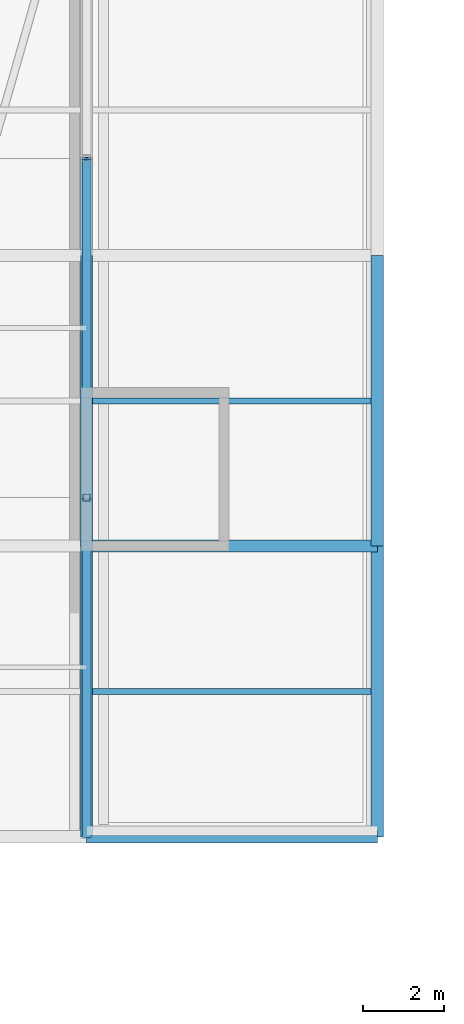
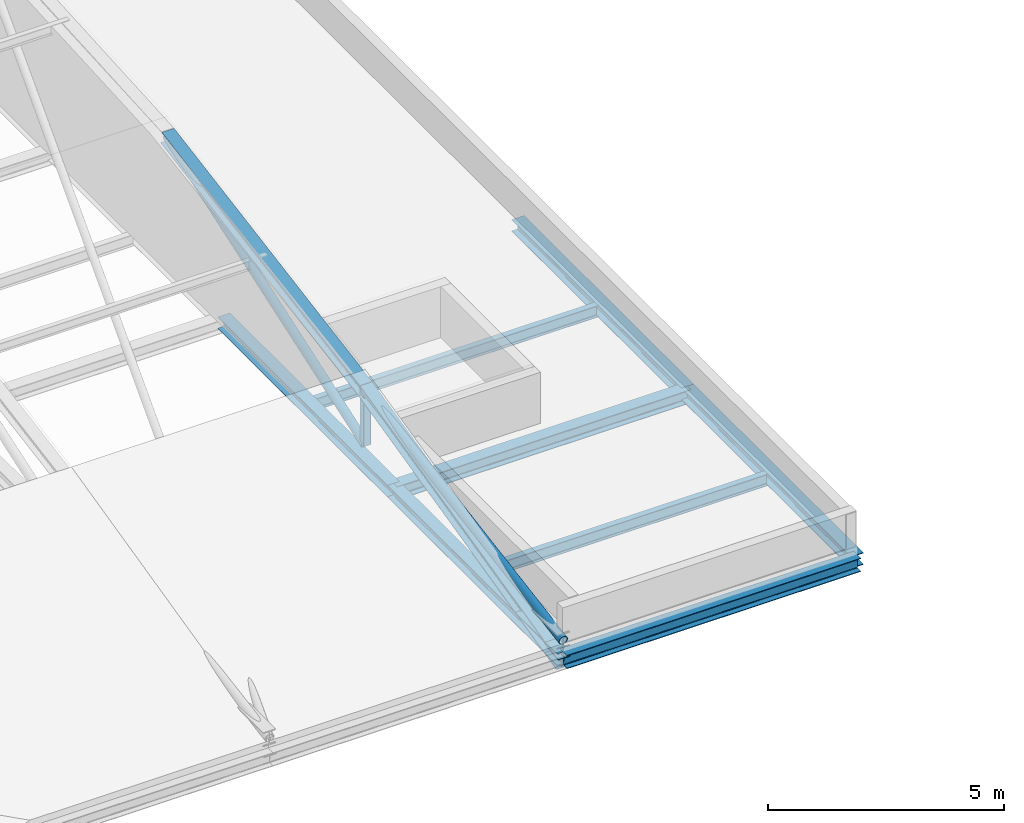
# One storey, part 13 of 76: 8 beams, 5 members.
"""IFC4 building model written with IfcOpenShell, lengths in metres."""

from ifc_helpers import new_model, si_unit, direction, frame, origin, origin_2d, place, context, subcontext, project, spatial, hollow_rectangle, hollow_circle, i_section, extrude, material, material_profile, profile_set, type_object, element, save


model = new_model("IFC4")

# Units and contexts
model_context = context("Model", 3, precision=1e-05, world=origin(), true_north=direction((0.0, 1.0)))
body_context = subcontext(model_context, "Body", "Model", "MODEL_VIEW")
ifc_project = project(units=[si_unit("LENGTHUNIT", "METRE"), si_unit("AREAUNIT", "SQUARE_METRE"), si_unit("VOLUMEUNIT", "CUBIC_METRE"), si_unit("PLANEANGLEUNIT", "RADIAN"), si_unit("MASSUNIT", "GRAM", prefix="KILO")], contexts=[model_context])

# Site, building, storey
site_placement = place(None, origin())
site = spatial("IfcSite", under=ifc_project, at=site_placement, CompositionType="ELEMENT")
building_placement = place(site_placement, origin())
building = spatial("IfcBuilding", under=site, at=building_placement, Name="Zlatovets Crest Museum", CompositionType="ELEMENT")
storey_placement = place(building_placement, frame((0.0, 0.0, 17.10009765625)))
storey = spatial("IfcBuildingStorey", under=building, at=storey_placement, Name="L04", CompositionType="ELEMENT", Elevation=17.10009765625)

# Beams
ifc_material = material(Name="Structural steel S355J2", Category="steel")
ifc_material_profile_1 = material_profile(ifc_material, i_section(OverallWidth=0.300048828125, OverallDepth=0.35009765625, WebThickness=0.010009765625, FlangeThickness=0.017578125, FilletRadius=0.027099609375, at=origin_2d()), Name="HEA 360")
ifc_profile_set_1 = profile_set([ifc_material_profile_1], Name="Structural steel S355J2")
beam_type_1 = type_object("IfcBeamType", Name="Beam_B-03", PredefinedType="BEAM", material=ifc_profile_set_1)
for number, where, z_axis, x_axis, name in (
    (1, (28.800048828125, 50.39990234375, -0.39501953125), (1.0, 0.0, 0.0), (0.0, 1.0, 0.0), "V4 L04 Primary Girder B-03"),
    (2, (28.800048828125, 57.60009765625, -0.39501953125), (1.0, 0.0, 0.0), (0.0, 1.0, 0.0), "V4 L04 Primary Girder B-03"),
):
    element("IfcBeam", number, at=place(storey_placement, frame(where, z_axis=z_axis, x_axis=x_axis)), inside=storey, type_object=beam_type_1, Name=name, PredefinedType="BEAM", context=body_context, shape_type="SweptSolid", body=[
        extrude(i_section(OverallWidth=0.300048828125, OverallDepth=0.35009765625, WebThickness=0.010009765625, FlangeThickness=0.017578125, FilletRadius=0.027099609375, at=origin_2d()), origin(), (0.0, 0.0, 1.0), 7.199951171875),
    ])
ifc_material_profile_2 = material_profile(ifc_material, i_section(OverallWidth=0.300048828125, OverallDepth=0.31005859375, WebThickness=0.009033203125, FlangeThickness=0.015380859375, FilletRadius=0.027099609375, at=origin_2d()), Name="HEA 320")
ifc_profile_set_2 = profile_set([ifc_material_profile_2], Name="Structural steel S355J2")
beam_type_2 = type_object("IfcBeamType", Name="Beam_B-04", PredefinedType="BEAM", material=ifc_profile_set_2)
beam_1_placement = place(storey_placement, frame((28.800048828125, 50.39990234375, -0.375), z_axis=(0.0, 1.0, 0.0), x_axis=(-1.0, 0.0, 0.0)))
element("IfcBeam", 3, at=beam_1_placement, inside=storey, type_object=beam_type_2, Name="V4 L04 Grid Beam B-04", PredefinedType="BEAM", context=body_context, shape_type="SweptSolid", body=[
    extrude(i_section(OverallWidth=0.300048828125, OverallDepth=0.31005859375, WebThickness=0.009033203125, FlangeThickness=0.015380859375, FilletRadius=0.027099609375, at=origin_2d()), origin(), (0.0, 0.0, 1.0), 7.2001953125),
])
beam_2_placement = place(storey_placement, frame((28.800048828125, 57.60009765625, -0.375), z_axis=(0.0, 1.0, 0.0), x_axis=(-1.0, 0.0, 0.0)))
element("IfcBeam", 4, at=beam_2_placement, inside=storey, type_object=beam_type_2, Name="V4 L04 Grid Beam B-04", PredefinedType="BEAM", context=body_context, shape_type="SweptSolid", body=[
    extrude(i_section(OverallWidth=0.300048828125, OverallDepth=0.31005859375, WebThickness=0.009033203125, FlangeThickness=0.015380859375, FilletRadius=0.027099609375, at=origin_2d()), origin(), (0.0, 0.0, 1.0), 7.199951171875),
])
beam_3_placement = place(storey_placement, frame((36.0, 50.39990234375, -0.375), z_axis=(0.0, 1.0, 0.0), x_axis=(-1.0, 0.0, 0.0)))
element("IfcBeam", 5, at=beam_3_placement, inside=storey, type_object=beam_type_2, Name="V4 L04 Grid Beam B-04", PredefinedType="BEAM", context=body_context, shape_type="SweptSolid", body=[
    extrude(i_section(OverallWidth=0.300048828125, OverallDepth=0.31005859375, WebThickness=0.009033203125, FlangeThickness=0.015380859375, FilletRadius=0.027099609375, at=origin_2d()), origin(), (0.0, 0.0, 1.0), 7.2001953125),
])
beam_4_placement = place(storey_placement, frame((36.0, 57.60009765625, -0.375), z_axis=(0.0, 1.0, 0.0), x_axis=(-1.0, 0.0, 0.0)))
element("IfcBeam", 6, at=beam_4_placement, inside=storey, type_object=beam_type_2, Name="V4 L04 Grid Beam B-04", PredefinedType="BEAM", context=body_context, shape_type="SweptSolid", body=[
    extrude(i_section(OverallWidth=0.300048828125, OverallDepth=0.31005859375, WebThickness=0.009033203125, FlangeThickness=0.015380859375, FilletRadius=0.027099609375, at=origin_2d()), origin(), (0.0, 0.0, 1.0), 7.199951171875),
])
ifc_material_profile_3 = material_profile(ifc_material, i_section(OverallWidth=0.14990234375, OverallDepth=0.300048828125, WebThickness=0.007080078125, FlangeThickness=0.0107421875, FilletRadius=0.014892578125, at=origin_2d()), Name="IPE 300")
ifc_profile_set_3 = profile_set([ifc_material_profile_3], Name="Structural steel S355J2")
beam_type_3 = type_object("IfcBeamType", Name="Beam_J-02", PredefinedType="JOIST", material=ifc_profile_set_3)
for number, where, z_axis, x_axis, name in (
    (7, (28.949951171875, 54.0, -0.3701171875), (1.0, 0.0, 0.0), (0.0, 1.0, 0.0), "V4 L04 Composite Joist J-02"),
    (8, (28.949951171875, 61.199951171875, -0.3701171875), (1.0, 0.0, 0.0), (0.0, 1.0, 0.0), "V4 L04 Composite Joist J-02"),
):
    element("IfcBeam", number, at=place(storey_placement, frame(where, z_axis=z_axis, x_axis=x_axis)), inside=storey, type_object=beam_type_3, Name=name, PredefinedType="JOIST", context=body_context, shape_type="SweptSolid", body=[
        extrude(i_section(OverallWidth=0.14990234375, OverallDepth=0.300048828125, WebThickness=0.007080078125, FlangeThickness=0.0107421875, FilletRadius=0.014892578125, at=origin_2d()), origin(), (0.0, 0.0, 1.0), 6.900146484375),
    ])

# Members
ifc_material_profile_4 = material_profile(ifc_material, i_section(OverallWidth=0.300048828125, OverallDepth=0.31005859375, WebThickness=0.009033203125, FlangeThickness=0.015380859375, FilletRadius=0.027099609375, at=origin_2d()), Name="HEA 320")
ifc_profile_set_4 = profile_set([ifc_material_profile_4], Name="Structural steel S355J2")
member_type_1 = type_object("IfcMemberType", Name="Member_TM-02", PredefinedType="RAFTER", material=ifc_profile_set_4)
member_1_placement = place(storey_placement, frame((28.800048828125, 50.39990234375, -0.5), z_axis=(0.0, 0.97280712477, 0.231616704918), x_axis=(-1.0, 0.0, 0.0)))
element("IfcMember", 9, at=member_1_placement, inside=storey, type_object=member_type_1, Name="V4 Art Nouveau Curved Vault Rib", PredefinedType="RAFTER", context=body_context, shape_type="SweptSolid", body=[
    extrude(i_section(OverallWidth=0.300048828125, OverallDepth=0.31005859375, WebThickness=0.009033203125, FlangeThickness=0.015380859375, FilletRadius=0.027099609375, at=origin_2d()), origin(), (0.0, 0.0, 1.0), 8.635009765625),
])
member_2_placement = place(storey_placement, frame((28.800048828125, 58.800048828125, 1.5), z_axis=(0.0, 0.985147168776, 0.171712130766), x_axis=(-1.0, 0.0, 0.0)))
element("IfcMember", 10, at=member_2_placement, inside=storey, type_object=member_type_1, Name="V4 Art Nouveau Curved Vault Rib", PredefinedType="RAFTER", context=body_context, shape_type="SweptSolid", body=[
    extrude(i_section(OverallWidth=0.300048828125, OverallDepth=0.31005859375, WebThickness=0.009033203125, FlangeThickness=0.015380859375, FilletRadius=0.027099609375, at=origin_2d()), origin(), (0.0, 0.0, 1.0), 8.526611328125),
])
ifc_material_profile_5 = material_profile(ifc_material, hollow_rectangle(XDim=0.179931640625, YDim=0.179931640625, WallThickness=0.010009765625, InnerFilletRadius=0.010009765625, OuterFilletRadius=0.02001953125, at=origin_2d()), Name="SHS 180x180x10.0")
ifc_profile_set_5 = profile_set([ifc_material_profile_5], Name="Structural steel S355J2")
member_type_2 = type_object("IfcMemberType", Name="Member_TM-04", PredefinedType="STRUT", material=ifc_profile_set_5)
member_3_placement = place(storey_placement, frame((28.800048828125, 58.800048828125, 0.079833984375), z_axis=(0.0, 0.0, 1.0), x_axis=(1.0, 0.0, 0.0)))
element("IfcMember", 11, at=member_3_placement, inside=storey, type_object=member_type_2, Name="V4 Barrel Vault Web Strut", PredefinedType="STRUT", context=body_context, shape_type="SweptSolid", body=[
    extrude(hollow_rectangle(XDim=0.179931640625, YDim=0.179931640625, WallThickness=0.010009765625, InnerFilletRadius=0.010009765625, OuterFilletRadius=0.02001953125, at=origin_2d()), origin(), (0.0, 0.0, 1.0), 1.420166015625),
])
ifc_material_profile_6 = material_profile(ifc_material, hollow_circle(Radius=0.109619140625, WallThickness=0.010009765625, at=origin_2d()), Name="CHS 219.1x10.0")
ifc_profile_set_6 = profile_set([ifc_material_profile_6], Name="Structural steel S355J2")
member_type_3 = type_object("IfcMemberType", Name="Member_TM-05", PredefinedType="BRACE", material=ifc_profile_set_6)
member_4_placement = place(storey_placement, frame((28.800048828125, 50.39990234375, 0.079833984375), z_axis=(0.0, 0.986007854898, 0.166698860463), x_axis=(-1.0, 0.0, 0.0)))
element("IfcMember", 12, at=member_4_placement, inside=storey, type_object=member_type_3, Name="V4 Barrel Vault Web Diagonal", PredefinedType="BRACE", context=body_context, shape_type="SweptSolid", body=[
    extrude(hollow_circle(Radius=0.109619140625, WallThickness=0.010009765625, at=origin_2d()), origin(), (0.0, 0.0, 1.0), 8.519287109375),
])
member_5_placement = place(storey_placement, frame((28.800048828125, 58.800048828125, 0.079833984375), z_axis=(0.0, 0.945796934136, 0.324758617098), x_axis=(-1.0, 0.0, 0.0)))
element("IfcMember", 13, at=member_5_placement, inside=storey, type_object=member_type_3, Name="V4 Barrel Vault Web Diagonal", PredefinedType="BRACE", context=body_context, shape_type="SweptSolid", body=[
    extrude(hollow_circle(Radius=0.109619140625, WallThickness=0.010009765625, at=origin_2d()), origin(), (0.0, 0.0, 1.0), 8.88134765625),
])

save(model, "model.ifc")
